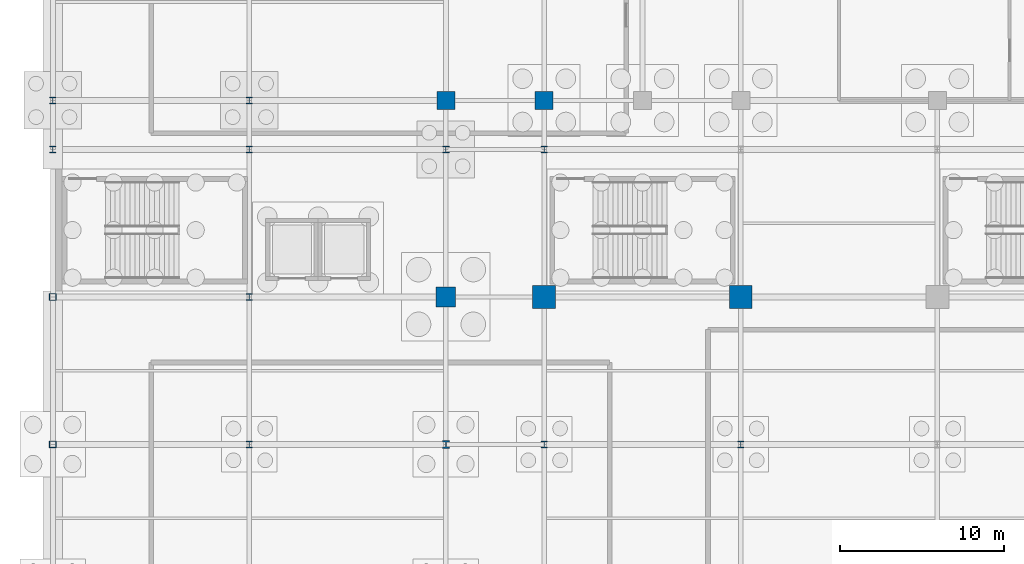
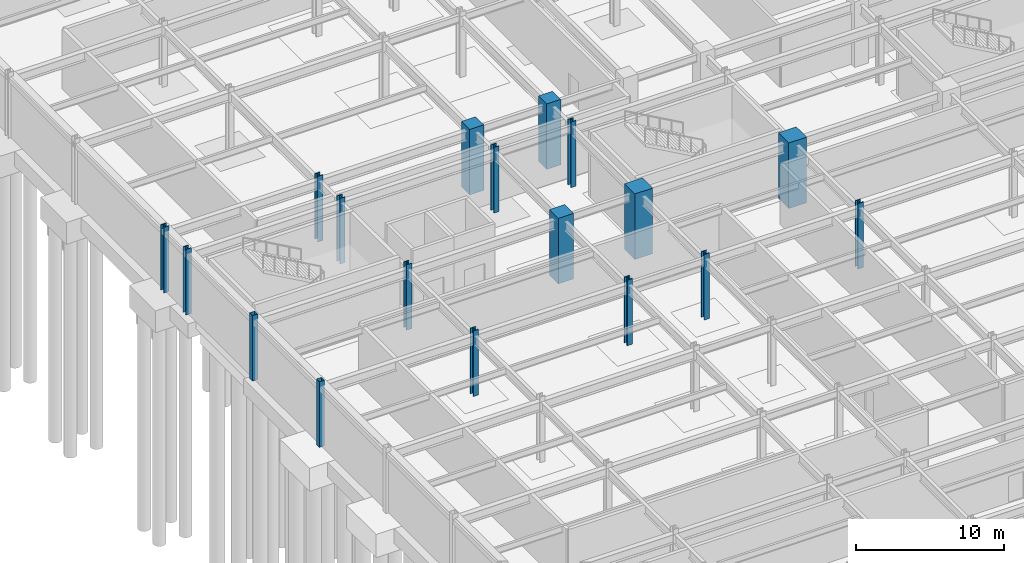
# One storey, part 13 of 47: 18 columns.
"""IFC4 building model written with IfcOpenShell, lengths in metres."""

from ifc_helpers import new_model, si_unit, direction, frame, origin, origin_2d, place, context, subcontext, project, spatial, rectangle, hollow_rectangle, i_section, extrude, material, material_profile, profile_set, type_object, element, save


model = new_model("IFC4")

# Units and contexts
model_context = context("Model", 3, precision=1e-05, world=origin(), true_north=direction((0.0, 1.0)))
body_context = subcontext(model_context, "Body", "Model", "MODEL_VIEW")
ifc_project = project(units=[si_unit("LENGTHUNIT", "METRE"), si_unit("AREAUNIT", "SQUARE_METRE"), si_unit("VOLUMEUNIT", "CUBIC_METRE"), si_unit("PLANEANGLEUNIT", "RADIAN"), si_unit("MASSUNIT", "GRAM", prefix="KILO")], contexts=[model_context])

# Site, building, storey
site_placement = place(None, origin())
site = spatial("IfcSite", under=ifc_project, at=site_placement, CompositionType="ELEMENT")
building_placement = place(site_placement, origin())
building = spatial("IfcBuilding", under=site, at=building_placement, Name="Kaldorvane Square Convention Centre", CompositionType="ELEMENT")
storey_placement = place(building_placement, frame((0.0, 0.0, -5.399993896484375)))
storey = spatial("IfcBuildingStorey", under=building, at=storey_placement, Name="B01", CompositionType="ELEMENT", Elevation=-5.399993896484375)

# Columns
ifc_material_1 = material(Name="Steel ASTM A500 Gr. C", Category="steel")
ifc_material_profile_1 = material_profile(ifc_material_1, hollow_rectangle(XDim=0.406402587890625, YDim=0.406402587890625, WallThickness=0.014801025390625, at=origin_2d()), Name="HSS16X16X5/8")
ifc_profile_set_1 = profile_set([ifc_material_profile_1], Name="Steel ASTM A500 Gr. C")
column_type_1 = type_object("IfcColumnType", Name="COL-HSS-16", PredefinedType="COLUMN", material=ifc_profile_set_1)
for number, where, z_axis, x_axis, name in (
    (1, (0.0, 63.0, 0.0), (0.0, 0.0, 1.0), (1.0, 0.0, 0.0), "Column SC-14 (B01)"),
    (2, (0.0, 72.0, 0.0), (0.0, 0.0, 1.0), (1.0, 0.0, 0.0), "Column SC-14 (B01)"),
):
    element("IfcColumn", number, at=place(storey_placement, frame(where, z_axis=z_axis, x_axis=x_axis)), inside=storey, type_object=column_type_1, Name=name, PredefinedType="COLUMN", context=body_context, shape_type="SweptSolid", body=[
        extrude(hollow_rectangle(XDim=0.406402587890625, YDim=0.406402587890625, WallThickness=0.014801025390625, at=origin_2d()), origin(), (0.0, 0.0, 1.0), 5.399993896484375),
    ])
ifc_material_2 = material(Name="Concrete f'c = 55 MPa (Normalweight)", Category="concrete")
ifc_material_profile_2 = material_profile(ifc_material_2, rectangle(XDim=1.1999969482421875, YDim=1.1999969482421875, at=origin_2d()), Name="RC1200X1200")
ifc_profile_set_2 = profile_set([ifc_material_profile_2], Name="Concrete f'c = 55 MPa (Normalweight)")
column_type_2 = type_object("IfcColumnType", Name="COL-MEGA-1200", PredefinedType="COLUMN", material=ifc_profile_set_2)
column_1_placement = place(storey_placement, frame((24.0, 72.0, 0.0), z_axis=(0.0, 0.0, 1.0), x_axis=(1.0, 0.0, 0.0)))
element("IfcColumn", 3, at=column_1_placement, inside=storey, type_object=column_type_2, Name="Column MC-02 (B01)", PredefinedType="COLUMN", context=body_context, shape_type="SweptSolid", body=[
    extrude(rectangle(XDim=1.1999969482421875, YDim=1.1999969482421875, at=origin_2d()), origin(), (0.0, 0.0, 1.0), 5.399993896484375),
])
ifc_material_profile_3 = material_profile(ifc_material_2, rectangle(XDim=1.399993896484375, YDim=1.399993896484375, at=origin_2d()), Name="RC1400X1400")
ifc_profile_set_3 = profile_set([ifc_material_profile_3], Name="Concrete f'c = 55 MPa (Normalweight)")
column_type_3 = type_object("IfcColumnType", Name="COL-MEGA-1400", PredefinedType="COLUMN", material=ifc_profile_set_3)
for number, where, z_axis, x_axis, name in (
    (4, (30.0, 72.0, 0.0), (0.0, 0.0, 1.0), (1.0, 0.0, 0.0), "Column MC-01 (B01)"),
    (5, (42.0, 72.0, 0.0), (0.0, 0.0, 1.0), (1.0, 0.0, 0.0), "Column MC-01 (B01)"),
):
    element("IfcColumn", number, at=place(storey_placement, frame(where, z_axis=z_axis, x_axis=x_axis)), inside=storey, type_object=column_type_3, Name=name, PredefinedType="COLUMN", context=body_context, shape_type="SweptSolid", body=[
        extrude(rectangle(XDim=1.399993896484375, YDim=1.399993896484375, at=origin_2d()), origin(), (0.0, 0.0, 1.0), 5.399993896484375),
    ])
ifc_material_profile_4 = material_profile(ifc_material_2, rectangle(XDim=1.100006103515625, YDim=1.100006103515625, at=origin_2d()), Name="RC1100X1100")
ifc_profile_set_4 = profile_set([ifc_material_profile_4], Name="Concrete f'c = 55 MPa (Normalweight)")
column_type_4 = type_object("IfcColumnType", Name="COL-RC-1100", PredefinedType="COLUMN", material=ifc_profile_set_4)
for number, where, z_axis, x_axis, name in (
    (6, (24.0, 84.0, 0.0), (0.0, 0.0, 1.0), (1.0, 0.0, 0.0), "Column CC-01 (B01)"),
    (7, (30.0, 84.0, 0.0), (0.0, 0.0, 1.0), (1.0, 0.0, 0.0), "Column CC-01 (B01)"),
):
    element("IfcColumn", number, at=place(storey_placement, frame(where, z_axis=z_axis, x_axis=x_axis)), inside=storey, type_object=column_type_4, Name=name, PredefinedType="COLUMN", context=body_context, shape_type="SweptSolid", body=[
        extrude(rectangle(XDim=1.100006103515625, YDim=1.100006103515625, at=origin_2d()), origin(), (0.0, 0.0, 1.0), 5.399993896484375),
    ])
ifc_material_3 = material(Name="Steel ASTM A992 Gr. 50", Category="steel")
ifc_material_profile_5 = material_profile(ifc_material_3, i_section(OverallWidth=0.412200927734375, OverallDepth=0.4347991943359375, WebThickness=0.035797119140625, FlangeThickness=0.057403564453125, FilletRadius=0.0305023193359375, at=origin_2d()), Name="W14X311")
ifc_profile_set_5 = profile_set([ifc_material_profile_5], Name="Steel ASTM A992 Gr. 50")
column_type_5 = type_object("IfcColumnType", Name="COL-STL-311", PredefinedType="COLUMN", material=ifc_profile_set_5)
for number, where, z_axis, x_axis, name in (
    (8, (0.0, 81.0, 0.0), (0.0, 0.0, 1.0), (1.0, 0.0, 0.0), "Column SC-06 (B01)"),
    (9, (0.0, 84.0, 0.0), (0.0, 0.0, 1.0), (1.0, 0.0, 0.0), "Column SC-06 (B01)"),
    (10, (12.0, 63.0, 0.0), (0.0, 0.0, 1.0), (1.0, 0.0, 0.0), "Column SC-06 (B01)"),
    (11, (12.0, 72.0, 0.0), (0.0, 0.0, 1.0), (1.0, 0.0, 0.0), "Column SC-06 (B01)"),
    (12, (12.0, 81.0, 0.0), (0.0, 0.0, 1.0), (1.0, 0.0, 0.0), "Column SC-06 (B01)"),
    (13, (12.0, 84.0, 0.0), (0.0, 0.0, 1.0), (1.0, 0.0, 0.0), "Column SC-06 (B01)"),
    (14, (24.0, 81.0, 0.0), (0.0, 0.0, 1.0), (1.0, 0.0, 0.0), "Column SC-06 (B01)"),
    (15, (30.0, 63.0, 0.0), (0.0, 0.0, 1.0), (1.0, 0.0, 0.0), "Column SC-06 (B01)"),
    (16, (30.0, 81.0, 0.0), (0.0, 0.0, 1.0), (1.0, 0.0, 0.0), "Column SC-06 (B01)"),
    (17, (42.0, 63.0, 0.0), (0.0, 0.0, 1.0), (1.0, 0.0, 0.0), "Column SC-06 (B01)"),
):
    element("IfcColumn", number, at=place(storey_placement, frame(where, z_axis=z_axis, x_axis=x_axis)), inside=storey, type_object=column_type_5, Name=name, PredefinedType="COLUMN", context=body_context, shape_type="SweptSolid", body=[
        extrude(i_section(OverallWidth=0.412200927734375, OverallDepth=0.4347991943359375, WebThickness=0.035797119140625, FlangeThickness=0.057403564453125, FilletRadius=0.0305023193359375, at=origin_2d()), origin(), (0.0, 0.0, 1.0), 5.399993896484375),
    ])
ifc_material_profile_6 = material_profile(ifc_material_3, i_section(OverallWidth=0.424102783203125, OverallDepth=0.4741973876953125, WebThickness=0.047607421875, FlangeThickness=0.0771026611328125, FilletRadius=0.0305023193359375, at=origin_2d()), Name="W14X426")
ifc_profile_set_6 = profile_set([ifc_material_profile_6], Name="Steel ASTM A992 Gr. 50")
column_type_6 = type_object("IfcColumnType", Name="COL-STL-426", PredefinedType="COLUMN", material=ifc_profile_set_6)
column_2_placement = place(storey_placement, frame((24.0, 63.0, 0.0), z_axis=(0.0, 0.0, 1.0), x_axis=(1.0, 0.0, 0.0)))
element("IfcColumn", 18, at=column_2_placement, inside=storey, type_object=column_type_6, Name="Column SC-04 (B01)", PredefinedType="COLUMN", context=body_context, shape_type="SweptSolid", body=[
    extrude(i_section(OverallWidth=0.424102783203125, OverallDepth=0.4741973876953125, WebThickness=0.047607421875, FlangeThickness=0.0771026611328125, FilletRadius=0.0305023193359375, at=origin_2d()), origin(), (0.0, 0.0, 1.0), 5.399993896484375),
])

save(model, "model.ifc")
